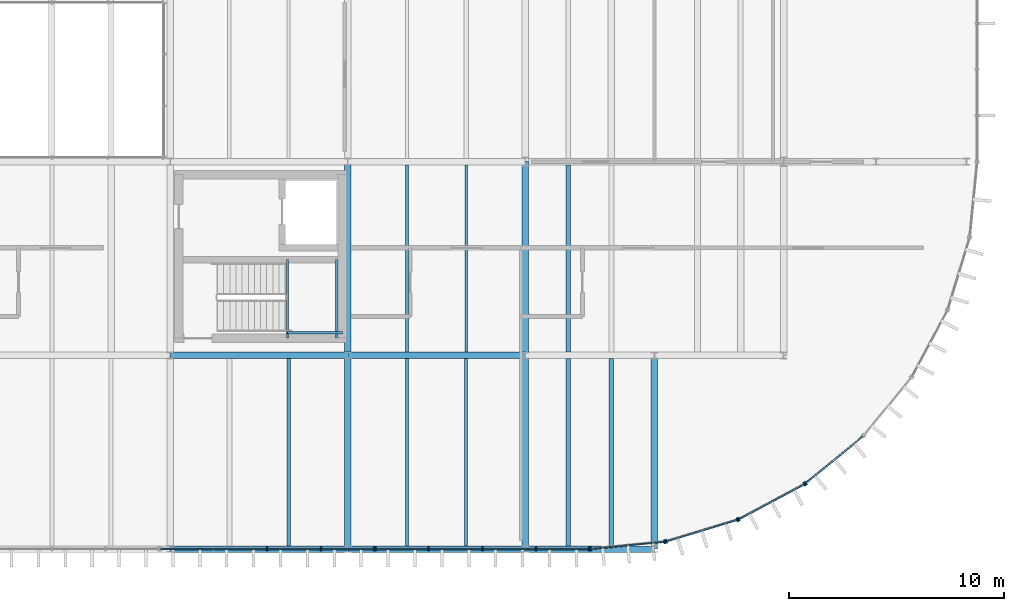
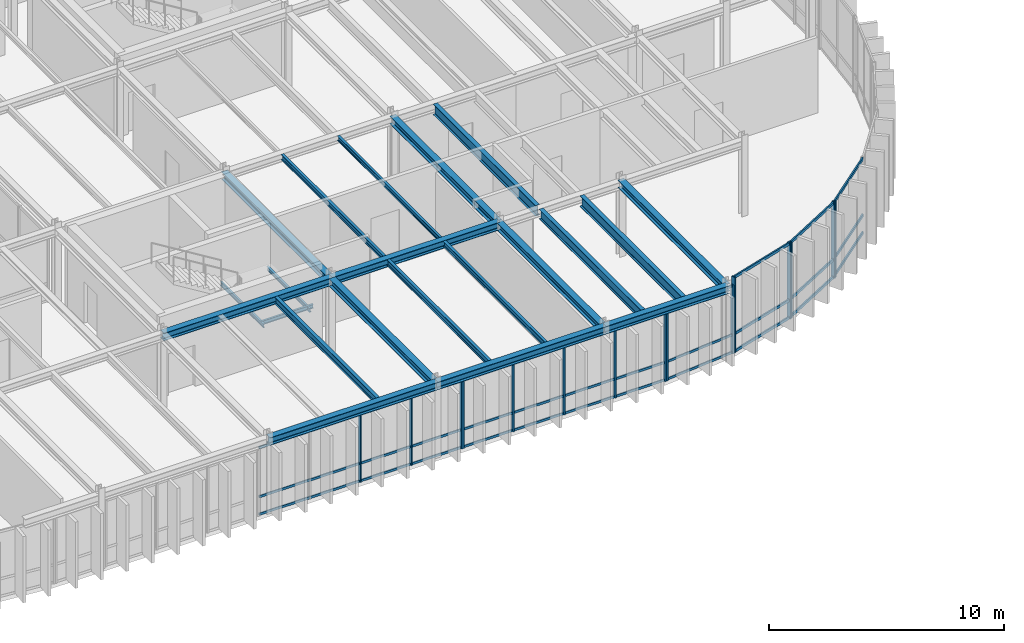
# One storey, part 9 of 27: 33 members, 21 beams, 6 elements without a shape of their own.
"""IFC4 building model written with IfcOpenShell, lengths in metres."""

from ifc_helpers import new_model, si_unit, direction, frame, origin, origin_2d, place, context, subcontext, project, spatial, rectangle, i_section, extrude, material, layer, layer_set, material_profile, profile_set, type_object, element, aggregate, save


model = new_model("IFC4")

# Units and contexts
model_context = context("Model", 3, precision=1e-05, world=origin(), true_north=direction((0.0, 1.0)))
body_context = subcontext(model_context, "Body", "Model", "MODEL_VIEW")
ifc_project = project(units=[si_unit("LENGTHUNIT", "METRE"), si_unit("AREAUNIT", "SQUARE_METRE"), si_unit("VOLUMEUNIT", "CUBIC_METRE"), si_unit("PLANEANGLEUNIT", "RADIAN"), si_unit("MASSUNIT", "GRAM", prefix="KILO")], contexts=[model_context])

# Site, building, storey
site_placement = place(None, origin())
site = spatial("IfcSite", under=ifc_project, at=site_placement, CompositionType="ELEMENT")
building_placement = place(site_placement, origin())
building = spatial("IfcBuilding", under=site, at=building_placement, Name="Montealbar Specialist Clinic", CompositionType="ELEMENT")
storey_placement = place(building_placement, frame((0.0, 0.0, 18.0)))
storey = spatial("IfcBuildingStorey", under=building, at=storey_placement, Name="L04", CompositionType="ELEMENT", Elevation=18.0)

# Beams
ifc_material_1 = material(Name="Steel S355", Category="steel")
ifc_material_profile_1 = material_profile(ifc_material_1, i_section(OverallWidth=0.300048828125, OverallDepth=0.39990234375, WebThickness=0.013427734375, FlangeThickness=0.02392578125, FilletRadius=0.027099609375, at=origin_2d()), Name="HEB 400", Category="steel")
ifc_profile_set_1 = profile_set([ifc_material_profile_1], Name="Steel S355")
beam_type_1 = type_object("IfcBeamType", Name="BM-GIRD-HEB400", PredefinedType="BEAM", material=ifc_profile_set_1)
for number, where, z_axis, x_axis, name in (
    (1, (82.5, 9.0, 3.68994140625), (1.0, 0.0, 0.0), (0.0, 1.0, 0.0), "Beam GX-L04-825-908-90"),
    (2, (90.75, 9.0, 3.68994140625), (1.0, 0.0, 0.0), (0.0, 1.0, 0.0), "Beam GX-L04-908-990-90"),
):
    element("IfcBeam", number, at=place(storey_placement, frame(where, z_axis=z_axis, x_axis=x_axis)), inside=storey, type_object=beam_type_1, Name=name, PredefinedType="BEAM", context=body_context, shape_type="SweptSolid", body=[
        extrude(i_section(OverallWidth=0.300048828125, OverallDepth=0.39990234375, WebThickness=0.013427734375, FlangeThickness=0.02392578125, FilletRadius=0.027099609375, at=origin_2d()), origin(), (0.0, 0.0, 1.0), 8.25),
    ])
for number, where, z_axis, x_axis, name in (
    (3, (90.75, 9.0, 3.68994140625), (0.0, 1.0, 0.0), (-1.0, 0.0, 0.0), "Beam GY-L04-908-90-180"),
    (4, (99.0, 9.0, 3.68994140625), (0.0, 1.0, 0.0), (-1.0, 0.0, 0.0), "Beam GY-L04-990-90-180"),
):
    element("IfcBeam", number, at=place(storey_placement, frame(where, z_axis=z_axis, x_axis=x_axis)), inside=storey, type_object=beam_type_1, Name=name, PredefinedType="BEAM", context=body_context, shape_type="SweptSolid", body=[
        extrude(i_section(OverallWidth=0.300048828125, OverallDepth=0.39990234375, WebThickness=0.013427734375, FlangeThickness=0.02392578125, FilletRadius=0.027099609375, at=origin_2d()), origin(), (0.0, 0.0, 1.0), 9.0),
    ])
ifc_material_profile_2 = material_profile(ifc_material_1, i_section(OverallWidth=0.300048828125, OverallDepth=0.39990234375, WebThickness=0.013427734375, FlangeThickness=0.02392578125, FilletRadius=0.027099609375, at=origin_2d()), Name="HEB 400", Category="steel")
ifc_profile_set_2 = profile_set([ifc_material_profile_2], Name="Steel S355")
beam_type_2 = type_object("IfcBeamType", Name="BM-GIRD-HEB400-EXT", PredefinedType="BEAM", material=ifc_profile_set_2)
for number, where, z_axis, x_axis, name in (
    (5, (82.5, 0.0, 3.72998046875), (1.0, 0.0, 0.0), (0.0, 1.0, 0.0), "Beam GX-L04-825-908-0"),
    (6, (90.75, 0.0, 3.72998046875), (1.0, 0.0, 0.0), (0.0, 1.0, 0.0), "Beam GX-L04-908-990-0"),
):
    element("IfcBeam", number, at=place(storey_placement, frame(where, z_axis=z_axis, x_axis=x_axis)), inside=storey, type_object=beam_type_2, Name=name, PredefinedType="BEAM", context=body_context, shape_type="SweptSolid", body=[
        extrude(i_section(OverallWidth=0.300048828125, OverallDepth=0.39990234375, WebThickness=0.013427734375, FlangeThickness=0.02392578125, FilletRadius=0.027099609375, at=origin_2d()), origin(), (0.0, 0.0, 1.0), 8.25),
    ])
beam_1_placement = place(storey_placement, frame((99.0, 0.0, 3.72998046875), z_axis=(1.0, 0.0, 0.0), x_axis=(0.0, 1.0, 0.0)))
element("IfcBeam", 7, at=beam_1_placement, inside=storey, type_object=beam_type_2, Name="Beam GX-L04-990-1050-0", PredefinedType="BEAM", context=body_context, shape_type="SweptSolid", body=[
    extrude(i_section(OverallWidth=0.300048828125, OverallDepth=0.39990234375, WebThickness=0.013427734375, FlangeThickness=0.02392578125, FilletRadius=0.027099609375, at=origin_2d()), origin(), (0.0, 0.0, 1.0), 6.0),
])
for number, where, z_axis, x_axis, name in (
    (8, (90.75, 0.0, 3.68994140625), (0.0, 1.0, 0.0), (-1.0, 0.0, 0.0), "Beam GY-L04-908-0-90"),
    (9, (99.0, 0.0, 3.68994140625), (0.0, 1.0, 0.0), (-1.0, 0.0, 0.0), "Beam GY-L04-990-0-90"),
    (10, (105.0, 0.0, 3.72998046875), (0.0, 1.0, 0.0), (-1.0, 0.0, 0.0), "Beam GY-L04-1050-0-90"),
):
    element("IfcBeam", number, at=place(storey_placement, frame(where, z_axis=z_axis, x_axis=x_axis)), inside=storey, type_object=beam_type_2, Name=name, PredefinedType="BEAM", context=body_context, shape_type="SweptSolid", body=[
        extrude(i_section(OverallWidth=0.300048828125, OverallDepth=0.39990234375, WebThickness=0.013427734375, FlangeThickness=0.02392578125, FilletRadius=0.027099609375, at=origin_2d()), origin(), (0.0, 0.0, 1.0), 9.0),
    ])
ifc_material_profile_3 = material_profile(ifc_material_1, i_section(OverallWidth=0.1201171875, OverallDepth=0.239990234375, WebThickness=0.006103515625, FlangeThickness=0.009765625, FilletRadius=0.014892578125, at=origin_2d()), Name="IPE 240", Category="steel")
ifc_profile_set_3 = profile_set([ifc_material_profile_3], Name="Steel S355")
beam_type_3 = type_object("IfcBeamType", Name="BM-JST-IPE240", PredefinedType="JOIST", material=ifc_profile_set_3)
beam_2_placement = place(storey_placement, frame((96.25, 9.14990234375, 3.77001953125), z_axis=(0.0, 1.0, 0.0), x_axis=(-1.0, 0.0, 0.0)))
element("IfcBeam", 11, at=beam_2_placement, inside=storey, type_object=beam_type_3, Name="Beam JST-L04-962-92-178", PredefinedType="JOIST", context=body_context, shape_type="SweptSolid", body=[
    extrude(i_section(OverallWidth=0.1201171875, OverallDepth=0.239990234375, WebThickness=0.006103515625, FlangeThickness=0.009765625, FilletRadius=0.014892578125, at=origin_2d()), origin(), (0.0, 0.0, 1.0), 8.7001953125),
])
ifc_material_profile_4 = material_profile(ifc_material_1, i_section(OverallWidth=0.135009765625, OverallDepth=0.27001953125, WebThickness=0.006591796875, FlangeThickness=0.01025390625, FilletRadius=0.014892578125, at=origin_2d()), Name="IPE 270", Category="steel")
ifc_profile_set_4 = profile_set([ifc_material_profile_4], Name="Steel S355")
beam_type_4 = type_object("IfcBeamType", Name="BM-JST-IPE270", PredefinedType="JOIST", material=ifc_profile_set_4)
for number, where, z_axis, x_axis, name in (
    (12, (96.25, 0.14990234375, 3.7548828125), (0.0, 1.0, 0.0), (-1.0, 0.0, 0.0), "Beam JST-L04-962-2-88"),
    (13, (93.5, 9.14990234375, 3.7548828125), (0.0, 1.0, 0.0), (-1.0, 0.0, 0.0), "Beam JST-L04-935-92-178"),
):
    element("IfcBeam", number, at=place(storey_placement, frame(where, z_axis=z_axis, x_axis=x_axis)), inside=storey, type_object=beam_type_4, Name=name, PredefinedType="JOIST", context=body_context, shape_type="SweptSolid", body=[
        extrude(i_section(OverallWidth=0.135009765625, OverallDepth=0.27001953125, WebThickness=0.006591796875, FlangeThickness=0.01025390625, FilletRadius=0.014892578125, at=origin_2d()), origin(), (0.0, 0.0, 1.0), 8.7001953125),
    ])
ifc_material_profile_5 = material_profile(ifc_material_1, i_section(OverallWidth=0.14990234375, OverallDepth=0.300048828125, WebThickness=0.007080078125, FlangeThickness=0.0107421875, FilletRadius=0.014892578125, at=origin_2d()), Name="IPE 300", Category="steel")
ifc_profile_set_5 = profile_set([ifc_material_profile_5], Name="Steel S355")
beam_type_5 = type_object("IfcBeamType", Name="BM-JST-IPE300", PredefinedType="JOIST", material=ifc_profile_set_5)
beam_3_placement = place(storey_placement, frame((93.5, 0.14990234375, 3.739990234375), z_axis=(0.0, 1.0, 0.0), x_axis=(-1.0, 0.0, 0.0)))
element("IfcBeam", 14, at=beam_3_placement, inside=storey, type_object=beam_type_5, Name="Beam JST-L04-935-2-88", PredefinedType="JOIST", context=body_context, shape_type="SweptSolid", body=[
    extrude(i_section(OverallWidth=0.14990234375, OverallDepth=0.300048828125, WebThickness=0.007080078125, FlangeThickness=0.0107421875, FilletRadius=0.014892578125, at=origin_2d()), origin(), (0.0, 0.0, 1.0), 8.7001953125),
])
ifc_material_profile_6 = material_profile(ifc_material_1, i_section(OverallWidth=0.169921875, OverallDepth=0.360107421875, WebThickness=0.008056640625, FlangeThickness=0.0126953125, FilletRadius=0.01806640625, at=origin_2d()), Name="IPE 360", Category="steel")
ifc_profile_set_6 = profile_set([ifc_material_profile_6], Name="Steel S355")
beam_type_6 = type_object("IfcBeamType", Name="BM-JST-IPE360", PredefinedType="JOIST", material=ifc_profile_set_6)
beam_4_placement = place(storey_placement, frame((88.0, 0.14990234375, 3.7099609375), z_axis=(0.0, 1.0, 0.0), x_axis=(-1.0, 0.0, 0.0)))
element("IfcBeam", 15, at=beam_4_placement, inside=storey, type_object=beam_type_6, Name="Beam JST-L04-880-2-88", PredefinedType="JOIST", context=body_context, shape_type="SweptSolid", body=[
    extrude(i_section(OverallWidth=0.169921875, OverallDepth=0.360107421875, WebThickness=0.008056640625, FlangeThickness=0.0126953125, FilletRadius=0.01806640625, at=origin_2d()), origin(), (0.0, 0.0, 1.0), 8.7001953125),
])
ifc_material_profile_7 = material_profile(ifc_material_1, i_section(OverallWidth=0.199951171875, OverallDepth=0.5, WebThickness=0.01025390625, FlangeThickness=0.01611328125, FilletRadius=0.02099609375, at=origin_2d()), Name="IPE 500", Category="steel")
ifc_profile_set_7 = profile_set([ifc_material_profile_7], Name="Steel S355")
beam_type_7 = type_object("IfcBeamType", Name="BM-JST-IPE500", PredefinedType="JOIST", material=ifc_profile_set_7)
beam_5_placement = place(storey_placement, frame((101.0, 0.14990234375, 3.639892578125), z_axis=(0.0, 1.0, 0.0), x_axis=(-1.0, 0.0, 0.0)))
element("IfcBeam", 16, at=beam_5_placement, inside=storey, type_object=beam_type_7, Name="Beam JST-L04-1010-2-88", PredefinedType="JOIST", context=body_context, shape_type="SweptSolid", body=[
    extrude(i_section(OverallWidth=0.199951171875, OverallDepth=0.5, WebThickness=0.01025390625, FlangeThickness=0.01611328125, FilletRadius=0.02099609375, at=origin_2d()), origin(), (0.0, 0.0, 1.0), 8.7001953125),
])
ifc_material_profile_8 = material_profile(ifc_material_1, i_section(OverallWidth=0.2099609375, OverallDepth=0.550048828125, WebThickness=0.010986328125, FlangeThickness=0.01708984375, FilletRadius=0.02392578125, at=origin_2d()), Name="IPE 550", Category="steel")
ifc_profile_set_8 = profile_set([ifc_material_profile_8], Name="Steel S355")
beam_type_8 = type_object("IfcBeamType", Name="BM-JST-IPE550", PredefinedType="JOIST", material=ifc_profile_set_8)
for number, where, z_axis, x_axis, name in (
    (17, (103.0, 0.14990234375, 3.614990234375), (0.0, 1.0, 0.0), (-1.0, 0.0, 0.0), "Beam JST-L04-1030-2-88"),
    (18, (101.0, 9.14990234375, 3.614990234375), (0.0, 1.0, 0.0), (-1.0, 0.0, 0.0), "Beam JST-L04-1010-92-178"),
):
    element("IfcBeam", number, at=place(storey_placement, frame(where, z_axis=z_axis, x_axis=x_axis)), inside=storey, type_object=beam_type_8, Name=name, PredefinedType="JOIST", context=body_context, shape_type="SweptSolid", body=[
        extrude(i_section(OverallWidth=0.2099609375, OverallDepth=0.550048828125, WebThickness=0.010986328125, FlangeThickness=0.01708984375, FilletRadius=0.02392578125, at=origin_2d()), origin(), (0.0, 0.0, 1.0), 8.7001953125),
    ])
ifc_material_profile_9 = material_profile(ifc_material_1, i_section(OverallWidth=0.10009765625, OverallDepth=0.199951171875, WebThickness=0.005615234375, FlangeThickness=0.008544921875, FilletRadius=0.011962890625, at=origin_2d()), Name="IPE 200", Category="steel")
ifc_profile_set_9 = profile_set([ifc_material_profile_9], Name="Steel S355")
beam_type_9 = type_object("IfcBeamType", Name="BM-LINT-IPE200", PredefinedType="LINTEL", material=ifc_profile_set_9)
for number, where, z_axis, x_axis, name in (
    (19, (87.955078125, 9.800048828125, 1.800048828125), (0.0, 1.0, 0.0), (-1.0, 0.0, 0.0), "Core C4 Stair Landing Beam L04 W"),
    (20, (90.22998046875, 9.800048828125, 1.800048828125), (0.0, 1.0, 0.0), (-1.0, 0.0, 0.0), "Core C4 Stair Landing Beam L04 E"),
):
    element("IfcBeam", number, at=place(storey_placement, frame(where, z_axis=z_axis, x_axis=x_axis)), inside=storey, type_object=beam_type_9, Name=name, PredefinedType="LINTEL", context=body_context, shape_type="SweptSolid", body=[
        extrude(i_section(OverallWidth=0.10009765625, OverallDepth=0.199951171875, WebThickness=0.005615234375, FlangeThickness=0.008544921875, FilletRadius=0.011962890625, at=origin_2d()), origin(), (0.0, 0.0, 1.0), 3.64990234375),
    ])
beam_6_placement = place(storey_placement, frame((87.955078125, 10.050048828125, 1.800048828125), z_axis=(1.0, 0.0, 0.0), x_axis=(0.0, 1.0, 0.0)))
element("IfcBeam", 21, at=beam_6_placement, inside=storey, type_object=beam_type_9, Name="Core C4 Stair Landing Tie Beam L04", PredefinedType="LINTEL", context=body_context, shape_type="SweptSolid", body=[
    extrude(i_section(OverallWidth=0.10009765625, OverallDepth=0.199951171875, WebThickness=0.005615234375, FlangeThickness=0.008544921875, FilletRadius=0.011962890625, at=origin_2d()), origin(), (0.0, 0.0, 1.0), 2.544921875),
])

# Curtain wall, member
ifc_material_2 = material(Name="Low-E double glazing", Category="glass")
ifc_layer_1 = layer(ifc_material_2, 0.199951171875, Name="Low-E double glazing", Category="glass")
ifc_layer_set_1 = layer_set([ifc_layer_1], Name="Low-E double glazing")
curtain_wall_type_1 = type_object("IfcCurtainWallType", Name="CW-TYPE-29", PredefinedType="NOTDEFINED", material=ifc_layer_set_1)
curtain_wall_1_placement = place(storey_placement, origin())
curtain_wall_1 = element("IfcCurtainWall", 22, at=curtain_wall_1_placement, inside=storey, type_object=curtain_wall_type_1, Name="Unitised Curtain Wall CW-L04-1147-53-1120-30-180", PredefinedType="NOTDEFINED")
ifc_material_3 = material(Name="Anodised aluminium EN AW-6063", Category="aluminium")
ifc_material_profile_10 = material_profile(ifc_material_3, rectangle(XDim=0.070068359375, YDim=0.179931640625, at=origin_2d()), Name="ALU 70x180", Category="aluminium")
ifc_profile_set_10 = profile_set([ifc_material_profile_10], Name="Anodised aluminium EN AW-6063")
member_type_1 = type_object("IfcMemberType", Name="CW-MUL-200", PredefinedType="MULLION", material=ifc_profile_set_10)
member_1_placement = place(storey_placement, frame((112.031005859375, 3.05908203125, 0.0), z_axis=(0.0, 0.0, 1.0), x_axis=(-0.773123255923, -0.634255808922, 0.0)))
member_1 = element("IfcMember", 23, at=member_1_placement, type_object=member_type_1, Name="Curtain Wall Mullion CW-L04-1147-53-1120-30-180-01", PredefinedType="MULLION", context=body_context, shape_type="SweptSolid", body=[
    extrude(rectangle(XDim=0.070068359375, YDim=0.179931640625, at=origin_2d()), origin(), (0.0, 0.0, 1.0), 3.919921875),
])

# Curtain wall, members
curtain_wall_2_placement = place(storey_placement, origin())
curtain_wall_2 = element("IfcCurtainWall", 24, at=curtain_wall_2_placement, inside=storey, type_object=curtain_wall_type_1, Name="Unitised Curtain Wall CW-L04-1120-30-1089-14-180", PredefinedType="NOTDEFINED")
member_2_placement = place(storey_placement, frame((111.965087890625, 3.014892578125, 0.0), z_axis=(0.0, 0.0, 1.0), x_axis=(-0.881850411644, -0.471529268958, 0.0)))
member_2 = element("IfcMember", 25, at=member_2_placement, type_object=member_type_1, Name="Curtain Wall Mullion CW-L04-1120-30-1089-14-180-00", PredefinedType="MULLION", context=body_context, shape_type="SweptSolid", body=[
    extrude(rectangle(XDim=0.070068359375, YDim=0.179931640625, at=origin_2d()), origin(), (0.0, 0.0, 1.0), 3.919921875),
])
member_3_placement = place(storey_placement, frame((108.923095703125, 1.388916015625, 0.0), z_axis=(0.0, 0.0, 1.0), x_axis=(-0.881850411644, -0.471529268958, 0.0)))
member_3 = element("IfcMember", 26, at=member_3_placement, type_object=member_type_1, Name="Curtain Wall Mullion CW-L04-1120-30-1089-14-180-01", PredefinedType="MULLION", context=body_context, shape_type="SweptSolid", body=[
    extrude(rectangle(XDim=0.070068359375, YDim=0.179931640625, at=origin_2d()), origin(), (0.0, 0.0, 1.0), 3.919921875),
])

curtain_wall_3_placement = place(storey_placement, origin())
curtain_wall_3 = element("IfcCurtainWall", 27, at=curtain_wall_3_placement, inside=storey, type_object=curtain_wall_type_1, Name="Unitised Curtain Wall CW-L04-1089-14-1055-3-180", PredefinedType="NOTDEFINED")
member_4_placement = place(storey_placement, frame((108.85009765625, 1.35791015625, 0.0), z_axis=(0.0, 0.0, 1.0), x_axis=(-0.956948083701, -0.290259134399, 0.0)))
member_4 = element("IfcMember", 28, at=member_4_placement, type_object=member_type_1, Name="Curtain Wall Mullion CW-L04-1089-14-1055-3-180-00", PredefinedType="MULLION", context=body_context, shape_type="SweptSolid", body=[
    extrude(rectangle(XDim=0.070068359375, YDim=0.179931640625, at=origin_2d()), origin(), (0.0, 0.0, 1.0), 3.919921875),
])
member_5_placement = place(storey_placement, frame((105.550048828125, 0.35791015625, 0.0), z_axis=(0.0, 0.0, 1.0), x_axis=(-0.956948083701, -0.290259134399, 0.0)))
member_5 = element("IfcMember", 29, at=member_5_placement, type_object=member_type_1, Name="Curtain Wall Mullion CW-L04-1089-14-1055-3-180-01", PredefinedType="MULLION", context=body_context, shape_type="SweptSolid", body=[
    extrude(rectangle(XDim=0.070068359375, YDim=0.179931640625, at=origin_2d()), origin(), (0.0, 0.0, 1.0), 3.919921875),
])

ifc_layer_2 = layer(ifc_material_2, 0.199951171875, Name="Low-E double glazing", Category="glass")
ifc_layer_set_2 = layer_set([ifc_layer_2], Name="Low-E double glazing")
curtain_wall_type_2 = type_object("IfcCurtainWallType", Name="CW-TYPE-15", PredefinedType="NOTDEFINED", material=ifc_layer_set_2)
curtain_wall_4_placement = place(storey_placement, origin())
curtain_wall_4 = element("IfcCurtainWall", 30, at=curtain_wall_4_placement, inside=storey, type_object=curtain_wall_type_2, Name="Unitised Curtain Wall CW-L04-1055-3-1020-0-180", PredefinedType="NOTDEFINED")
member_6_placement = place(storey_placement, frame((105.471923828125, 0.342041015625, 0.0), z_axis=(0.0, 0.0, 1.0), x_axis=(-0.995182012183, -0.098044697094, 0.0)))
member_6 = element("IfcMember", 31, at=member_6_placement, type_object=member_type_1, Name="Curtain Wall Mullion CW-L04-1055-3-1020-0-180-00", PredefinedType="MULLION", context=body_context, shape_type="SweptSolid", body=[
    extrude(rectangle(XDim=0.070068359375, YDim=0.179931640625, at=origin_2d()), origin(), (0.0, 0.0, 1.0), 3.530029296875),
])
member_7_placement = place(storey_placement, frame((102.0400390625, 0.00390625, 0.0), z_axis=(0.0, 0.0, 1.0), x_axis=(-0.995182012183, -0.098044697094, 0.0)))
member_7 = element("IfcMember", 32, at=member_7_placement, type_object=member_type_1, Name="Curtain Wall Mullion CW-L04-1055-3-1020-0-180-01", PredefinedType="MULLION", context=body_context, shape_type="SweptSolid", body=[
    extrude(rectangle(XDim=0.070068359375, YDim=0.179931640625, at=origin_2d()), origin(), (0.0, 0.0, 1.0), 3.530029296875),
])

ifc_layer_3 = layer(ifc_material_2, 0.199951171875, Name="Low-E double glazing", Category="glass")
ifc_layer_set_3 = layer_set([ifc_layer_3], Name="Low-E double glazing")
curtain_wall_type_3 = type_object("IfcCurtainWallType", Name="CW-TYPE-16", PredefinedType="NOTDEFINED", material=ifc_layer_set_3)
curtain_wall_5_placement = place(storey_placement, origin())
curtain_wall_5 = element("IfcCurtainWall", 33, at=curtain_wall_5_placement, inside=storey, type_object=curtain_wall_type_3, Name="Unitised Curtain Wall CW-L04-1020-0-920-0-180", PredefinedType="NOTDEFINED")
member_8_placement = place(storey_placement, frame((101.9599609375, 0.0, 0.0), z_axis=(0.0, 0.0, 1.0), x_axis=(-1.0, 0.0, 0.0)))
member_8 = element("IfcMember", 34, at=member_8_placement, type_object=member_type_1, Name="Curtain Wall Mullion CW-L04-1020-0-920-0-180-00", PredefinedType="MULLION", context=body_context, shape_type="SweptSolid", body=[
    extrude(rectangle(XDim=0.070068359375, YDim=0.179931640625, at=origin_2d()), origin(), (0.0, 0.0, 1.0), 3.530029296875),
])
member_9_placement = place(storey_placement, frame((99.5, 0.0, 0.0), z_axis=(0.0, 0.0, 1.0), x_axis=(-1.0, 0.0, 0.0)))
member_9 = element("IfcMember", 35, at=member_9_placement, type_object=member_type_1, Name="Curtain Wall Mullion CW-L04-1020-0-920-0-180-01", PredefinedType="MULLION", context=body_context, shape_type="SweptSolid", body=[
    extrude(rectangle(XDim=0.070068359375, YDim=0.179931640625, at=origin_2d()), origin(), (0.0, 0.0, 1.0), 3.530029296875),
])
member_10_placement = place(storey_placement, frame((97.0, 0.0, 0.0), z_axis=(0.0, 0.0, 1.0), x_axis=(-1.0, 0.0, 0.0)))
member_10 = element("IfcMember", 36, at=member_10_placement, type_object=member_type_1, Name="Curtain Wall Mullion CW-L04-1020-0-920-0-180-02", PredefinedType="MULLION", context=body_context, shape_type="SweptSolid", body=[
    extrude(rectangle(XDim=0.070068359375, YDim=0.179931640625, at=origin_2d()), origin(), (0.0, 0.0, 1.0), 3.530029296875),
])
member_11_placement = place(storey_placement, frame((94.5, 0.0, 0.0), z_axis=(0.0, 0.0, 1.0), x_axis=(-1.0, 0.0, 0.0)))
member_11 = element("IfcMember", 37, at=member_11_placement, type_object=member_type_1, Name="Curtain Wall Mullion CW-L04-1020-0-920-0-180-03", PredefinedType="MULLION", context=body_context, shape_type="SweptSolid", body=[
    extrude(rectangle(XDim=0.070068359375, YDim=0.179931640625, at=origin_2d()), origin(), (0.0, 0.0, 1.0), 3.530029296875),
])
member_12_placement = place(storey_placement, frame((92.0400390625, 0.0, 0.0), z_axis=(0.0, 0.0, 1.0), x_axis=(-1.0, 0.0, 0.0)))
member_12 = element("IfcMember", 38, at=member_12_placement, type_object=member_type_1, Name="Curtain Wall Mullion CW-L04-1020-0-920-0-180-04", PredefinedType="MULLION", context=body_context, shape_type="SweptSolid", body=[
    extrude(rectangle(XDim=0.070068359375, YDim=0.179931640625, at=origin_2d()), origin(), (0.0, 0.0, 1.0), 3.530029296875),
])

curtain_wall_6_placement = place(storey_placement, origin())
curtain_wall_6 = element("IfcCurtainWall", 39, at=curtain_wall_6_placement, inside=storey, type_object=curtain_wall_type_3, Name="Unitised Curtain Wall CW-L04-920-0-820-0-180", PredefinedType="NOTDEFINED")
member_13_placement = place(storey_placement, frame((91.9599609375, 0.0, 0.0), z_axis=(0.0, 0.0, 1.0), x_axis=(-1.0, 0.0, 0.0)))
member_13 = element("IfcMember", 40, at=member_13_placement, type_object=member_type_1, Name="Curtain Wall Mullion CW-L04-920-0-820-0-180-00", PredefinedType="MULLION", context=body_context, shape_type="SweptSolid", body=[
    extrude(rectangle(XDim=0.070068359375, YDim=0.179931640625, at=origin_2d()), origin(), (0.0, 0.0, 1.0), 3.530029296875),
])
member_14_placement = place(storey_placement, frame((89.5, 0.0, 0.0), z_axis=(0.0, 0.0, 1.0), x_axis=(-1.0, 0.0, 0.0)))
member_14 = element("IfcMember", 41, at=member_14_placement, type_object=member_type_1, Name="Curtain Wall Mullion CW-L04-920-0-820-0-180-01", PredefinedType="MULLION", context=body_context, shape_type="SweptSolid", body=[
    extrude(rectangle(XDim=0.070068359375, YDim=0.179931640625, at=origin_2d()), origin(), (0.0, 0.0, 1.0), 3.530029296875),
])
member_15_placement = place(storey_placement, frame((87.0, 0.0, 0.0), z_axis=(0.0, 0.0, 1.0), x_axis=(-1.0, 0.0, 0.0)))
member_15 = element("IfcMember", 42, at=member_15_placement, type_object=member_type_1, Name="Curtain Wall Mullion CW-L04-920-0-820-0-180-02", PredefinedType="MULLION", context=body_context, shape_type="SweptSolid", body=[
    extrude(rectangle(XDim=0.070068359375, YDim=0.179931640625, at=origin_2d()), origin(), (0.0, 0.0, 1.0), 3.530029296875),
])

# Member
ifc_material_4 = material(Name="Powder-coated aluminium", Category="aluminium")
ifc_material_profile_11 = material_profile(ifc_material_4, rectangle(XDim=0.06005859375, YDim=0.1201171875, at=origin_2d()), Name="ALU 60x120", Category="aluminium")
ifc_profile_set_11 = profile_set([ifc_material_profile_11], Name="Powder-coated aluminium")
member_type_2 = type_object("IfcMemberType", Name="CW-TRN-120", PredefinedType="USERDEFINED", material=ifc_profile_set_11)
member_16_placement = place(storey_placement, frame((105.4619140625, 0.341064453125, 0.0400390625), z_axis=(-0.995180678623, -0.098058232162, 0.0), x_axis=(0.098058232162, -0.995180678623, 0.0)))
member_16 = element("IfcMember", 43, at=member_16_placement, type_object=member_type_2, Name="Curtain Wall Transom CW-L04-1055-3-1020-0-180-00", ObjectType="TRANSOM", PredefinedType="USERDEFINED", context=body_context, shape_type="SweptSolid", body=[
    extrude(rectangle(XDim=0.06005859375, YDim=0.1201171875, at=origin_2d()), origin(), (0.0, 0.0, 1.0), 3.428466796875),
])

member_17_placement = place(storey_placement, frame((105.4619140625, 0.341064453125, 0.949951171875), z_axis=(-0.995180678623, -0.098058232162, 0.0), x_axis=(0.098058232162, -0.995180678623, 0.0)))
member_17 = element("IfcMember", 44, at=member_17_placement, type_object=member_type_2, Name="Curtain Wall Transom CW-L04-1055-3-1020-0-180-01", ObjectType="TRANSOM", PredefinedType="USERDEFINED", context=body_context, shape_type="SweptSolid", body=[
    extrude(rectangle(XDim=0.06005859375, YDim=0.1201171875, at=origin_2d()), origin(), (0.0, 0.0, 1.0), 3.428466796875),
])

member_18_placement = place(storey_placement, frame((105.4619140625, 0.341064453125, 3.489990234375), z_axis=(-0.995180678623, -0.098058232162, 0.0), x_axis=(0.098058232162, -0.995180678623, 0.0)))
member_18 = element("IfcMember", 45, at=member_18_placement, type_object=member_type_2, Name="Curtain Wall Transom CW-L04-1055-3-1020-0-180-02", ObjectType="TRANSOM", PredefinedType="USERDEFINED", context=body_context, shape_type="SweptSolid", body=[
    extrude(rectangle(XDim=0.06005859375, YDim=0.1201171875, at=origin_2d()), origin(), (0.0, 0.0, 1.0), 3.428466796875),
])

aggregate(curtain_wall_4, [member_6, member_7, member_16, member_17, member_18])

member_19_placement = place(storey_placement, frame((101.949951171875, 0.0, 0.0400390625), z_axis=(-1.0, 0.0, 0.0), x_axis=(0.0, -1.0, 0.0)))
member_19 = element("IfcMember", 46, at=member_19_placement, type_object=member_type_2, Name="Curtain Wall Transom CW-L04-1020-0-920-0-180-00", ObjectType="TRANSOM", PredefinedType="USERDEFINED", context=body_context, shape_type="SweptSolid", body=[
    extrude(rectangle(XDim=0.06005859375, YDim=0.1201171875, at=origin_2d()), origin(), (0.0, 0.0, 1.0), 9.89990234375),
])

member_20_placement = place(storey_placement, frame((101.949951171875, 0.0, 0.949951171875), z_axis=(-1.0, 0.0, 0.0), x_axis=(0.0, -1.0, 0.0)))
member_20 = element("IfcMember", 47, at=member_20_placement, type_object=member_type_2, Name="Curtain Wall Transom CW-L04-1020-0-920-0-180-01", ObjectType="TRANSOM", PredefinedType="USERDEFINED", context=body_context, shape_type="SweptSolid", body=[
    extrude(rectangle(XDim=0.06005859375, YDim=0.1201171875, at=origin_2d()), origin(), (0.0, 0.0, 1.0), 9.89990234375),
])

member_21_placement = place(storey_placement, frame((101.949951171875, 0.0, 3.489990234375), z_axis=(-1.0, 0.0, 0.0), x_axis=(0.0, -1.0, 0.0)))
member_21 = element("IfcMember", 48, at=member_21_placement, type_object=member_type_2, Name="Curtain Wall Transom CW-L04-1020-0-920-0-180-02", ObjectType="TRANSOM", PredefinedType="USERDEFINED", context=body_context, shape_type="SweptSolid", body=[
    extrude(rectangle(XDim=0.06005859375, YDim=0.1201171875, at=origin_2d()), origin(), (0.0, 0.0, 1.0), 9.89990234375),
])

aggregate(curtain_wall_5, [member_8, member_9, member_10, member_11, member_12, member_19, member_20, member_21])

member_22_placement = place(storey_placement, frame((91.949951171875, 0.0, 0.0400390625), z_axis=(-1.0, 0.0, 0.0), x_axis=(0.0, -1.0, 0.0)))
member_22 = element("IfcMember", 49, at=member_22_placement, type_object=member_type_2, Name="Curtain Wall Transom CW-L04-920-0-820-0-180-00", ObjectType="TRANSOM", PredefinedType="USERDEFINED", context=body_context, shape_type="SweptSolid", body=[
    extrude(rectangle(XDim=0.06005859375, YDim=0.1201171875, at=origin_2d()), origin(), (0.0, 0.0, 1.0), 9.89990234375),
])

member_23_placement = place(storey_placement, frame((91.949951171875, 0.0, 0.949951171875), z_axis=(-1.0, 0.0, 0.0), x_axis=(0.0, -1.0, 0.0)))
member_23 = element("IfcMember", 50, at=member_23_placement, type_object=member_type_2, Name="Curtain Wall Transom CW-L04-920-0-820-0-180-01", ObjectType="TRANSOM", PredefinedType="USERDEFINED", context=body_context, shape_type="SweptSolid", body=[
    extrude(rectangle(XDim=0.06005859375, YDim=0.1201171875, at=origin_2d()), origin(), (0.0, 0.0, 1.0), 9.89990234375),
])

member_24_placement = place(storey_placement, frame((91.949951171875, 0.0, 3.489990234375), z_axis=(-1.0, 0.0, 0.0), x_axis=(0.0, -1.0, 0.0)))
member_24 = element("IfcMember", 51, at=member_24_placement, type_object=member_type_2, Name="Curtain Wall Transom CW-L04-920-0-820-0-180-02", ObjectType="TRANSOM", PredefinedType="USERDEFINED", context=body_context, shape_type="SweptSolid", body=[
    extrude(rectangle(XDim=0.06005859375, YDim=0.1201171875, at=origin_2d()), origin(), (0.0, 0.0, 1.0), 9.89990234375),
])

aggregate(curtain_wall_6, [member_13, member_14, member_15, member_22, member_23, member_24])

ifc_material_profile_12 = material_profile(ifc_material_4, rectangle(XDim=0.070068359375, YDim=0.139892578125, at=origin_2d()), Name="ALU 70x140", Category="aluminium")
ifc_profile_set_12 = profile_set([ifc_material_profile_12], Name="Powder-coated aluminium")
member_type_3 = type_object("IfcMemberType", Name="CW-TRN-140", PredefinedType="USERDEFINED", material=ifc_profile_set_12)
member_25_placement = place(storey_placement, frame((114.68896484375, 5.239990234375, 0.0400390625), z_axis=(-0.773102924144, -0.634280591441, 0.0), x_axis=(0.634280591441, -0.773102924144, 0.0)))
member_25 = element("IfcMember", 52, at=member_25_placement, type_object=member_type_3, Name="Curtain Wall Transom CW-L04-1147-53-1120-30-180-00", ObjectType="TRANSOM", PredefinedType="USERDEFINED", context=body_context, shape_type="SweptSolid", body=[
    extrude(rectangle(XDim=0.070068359375, YDim=0.139892578125, at=origin_2d()), origin(), (0.0, 0.0, 1.0), 3.427734375),
])

member_26_placement = place(storey_placement, frame((114.68896484375, 5.239990234375, 0.949951171875), z_axis=(-0.773102924144, -0.634280591441, 0.0), x_axis=(0.634280591441, -0.773102924144, 0.0)))
member_26 = element("IfcMember", 53, at=member_26_placement, type_object=member_type_3, Name="Curtain Wall Transom CW-L04-1147-53-1120-30-180-01", ObjectType="TRANSOM", PredefinedType="USERDEFINED", context=body_context, shape_type="SweptSolid", body=[
    extrude(rectangle(XDim=0.070068359375, YDim=0.139892578125, at=origin_2d()), origin(), (0.0, 0.0, 1.0), 3.427734375),
])

member_27_placement = place(storey_placement, frame((114.68896484375, 5.239990234375, 3.8798828125), z_axis=(-0.773102924144, -0.634280591441, 0.0), x_axis=(0.634280591441, -0.773102924144, 0.0)))
member_27 = element("IfcMember", 54, at=member_27_placement, type_object=member_type_3, Name="Curtain Wall Transom CW-L04-1147-53-1120-30-180-02", ObjectType="TRANSOM", PredefinedType="USERDEFINED", context=body_context, shape_type="SweptSolid", body=[
    extrude(rectangle(XDim=0.070068359375, YDim=0.139892578125, at=origin_2d()), origin(), (0.0, 0.0, 1.0), 3.427734375),
])

aggregate(curtain_wall_1, [member_1, member_25, member_26, member_27])

member_28_placement = place(storey_placement, frame((111.9560546875, 3.010009765625, 0.0400390625), z_axis=(-0.881980147273, -0.471286558069, 0.0), x_axis=(0.471286558069, -0.881980147273, 0.0)))
member_28 = element("IfcMember", 55, at=member_28_placement, type_object=member_type_3, Name="Curtain Wall Transom CW-L04-1120-30-1089-14-180-00", ObjectType="TRANSOM", PredefinedType="USERDEFINED", context=body_context, shape_type="SweptSolid", body=[
    extrude(rectangle(XDim=0.070068359375, YDim=0.139892578125, at=origin_2d()), origin(), (0.0, 0.0, 1.0), 3.428955078125),
])

member_29_placement = place(storey_placement, frame((111.9560546875, 3.010009765625, 0.949951171875), z_axis=(-0.881980147273, -0.471286558069, 0.0), x_axis=(0.471286558069, -0.881980147273, 0.0)))
member_29 = element("IfcMember", 56, at=member_29_placement, type_object=member_type_3, Name="Curtain Wall Transom CW-L04-1120-30-1089-14-180-01", ObjectType="TRANSOM", PredefinedType="USERDEFINED", context=body_context, shape_type="SweptSolid", body=[
    extrude(rectangle(XDim=0.070068359375, YDim=0.139892578125, at=origin_2d()), origin(), (0.0, 0.0, 1.0), 3.428955078125),
])

member_30_placement = place(storey_placement, frame((111.9560546875, 3.010009765625, 3.8798828125), z_axis=(-0.881980147273, -0.471286558069, 0.0), x_axis=(0.471286558069, -0.881980147273, 0.0)))
member_30 = element("IfcMember", 57, at=member_30_placement, type_object=member_type_3, Name="Curtain Wall Transom CW-L04-1120-30-1089-14-180-02", ObjectType="TRANSOM", PredefinedType="USERDEFINED", context=body_context, shape_type="SweptSolid", body=[
    extrude(rectangle(XDim=0.070068359375, YDim=0.139892578125, at=origin_2d()), origin(), (0.0, 0.0, 1.0), 3.428955078125),
])

aggregate(curtain_wall_2, [member_2, member_3, member_28, member_29, member_30])

member_31_placement = place(storey_placement, frame((108.840087890625, 1.35498046875, 0.0400390625), z_axis=(-0.957028598092, -0.289993555849, 0.0), x_axis=(0.289993555849, -0.957028598092, 0.0)))
member_31 = element("IfcMember", 58, at=member_31_placement, type_object=member_type_3, Name="Curtain Wall Transom CW-L04-1089-14-1055-3-180-00", ObjectType="TRANSOM", PredefinedType="USERDEFINED", context=body_context, shape_type="SweptSolid", body=[
    extrude(rectangle(XDim=0.070068359375, YDim=0.139892578125, at=origin_2d()), origin(), (0.0, 0.0, 1.0), 3.42724609375),
])

member_32_placement = place(storey_placement, frame((108.840087890625, 1.35498046875, 0.949951171875), z_axis=(-0.957028598092, -0.289993555849, 0.0), x_axis=(0.289993555849, -0.957028598092, 0.0)))
member_32 = element("IfcMember", 59, at=member_32_placement, type_object=member_type_3, Name="Curtain Wall Transom CW-L04-1089-14-1055-3-180-01", ObjectType="TRANSOM", PredefinedType="USERDEFINED", context=body_context, shape_type="SweptSolid", body=[
    extrude(rectangle(XDim=0.070068359375, YDim=0.139892578125, at=origin_2d()), origin(), (0.0, 0.0, 1.0), 3.42724609375),
])

member_33_placement = place(storey_placement, frame((108.840087890625, 1.35498046875, 3.8798828125), z_axis=(-0.957028598092, -0.289993555849, 0.0), x_axis=(0.289993555849, -0.957028598092, 0.0)))
member_33 = element("IfcMember", 60, at=member_33_placement, type_object=member_type_3, Name="Curtain Wall Transom CW-L04-1089-14-1055-3-180-02", ObjectType="TRANSOM", PredefinedType="USERDEFINED", context=body_context, shape_type="SweptSolid", body=[
    extrude(rectangle(XDim=0.070068359375, YDim=0.139892578125, at=origin_2d()), origin(), (0.0, 0.0, 1.0), 3.42724609375),
])

aggregate(curtain_wall_3, [member_4, member_5, member_31, member_32, member_33])

save(model, "model.ifc")
